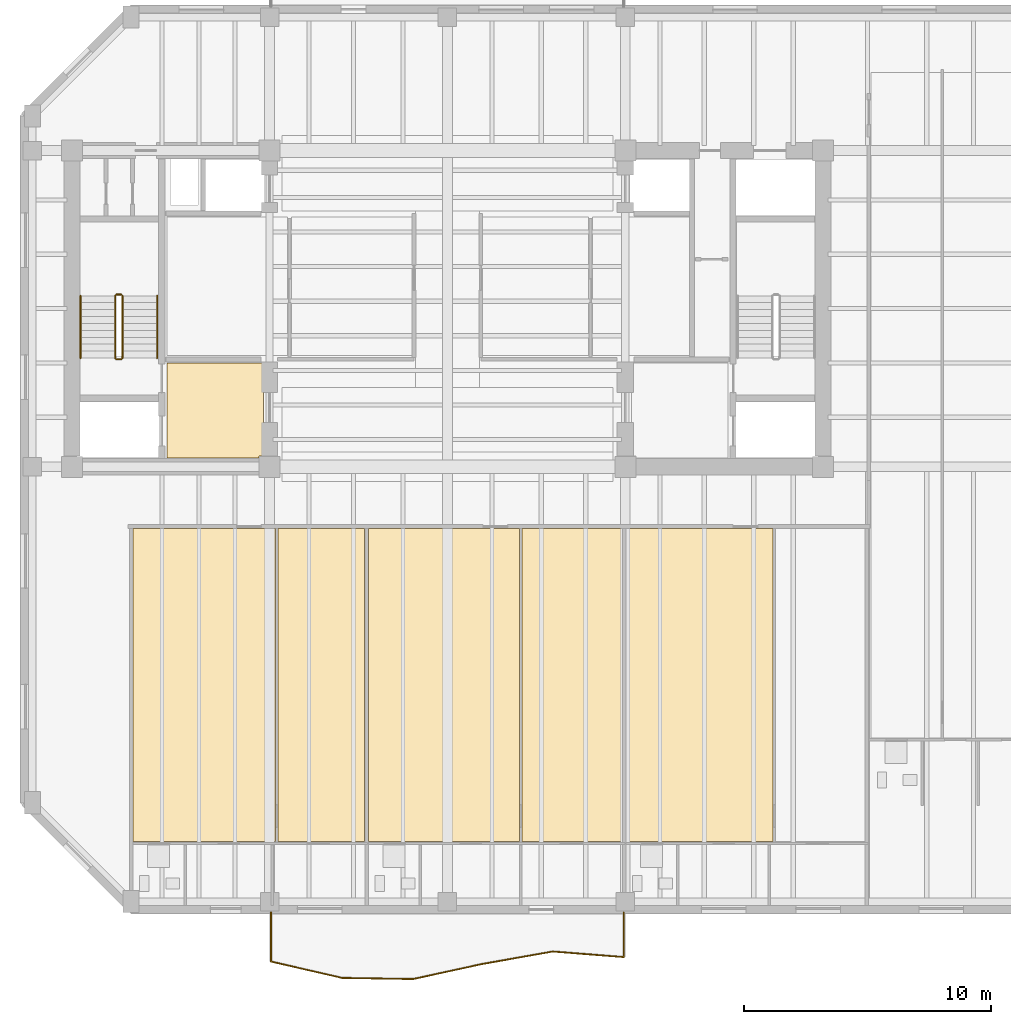
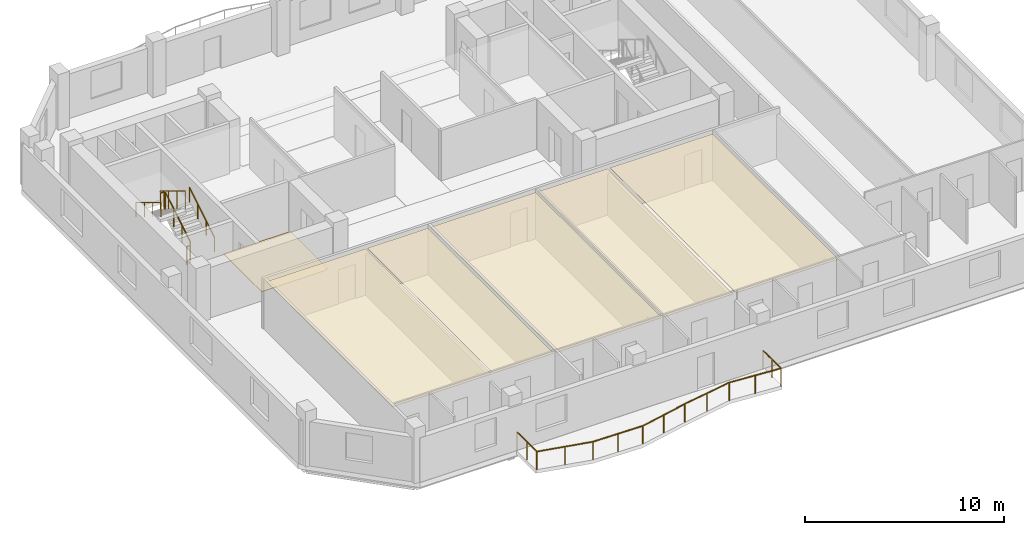
# One storey, part 6 of 9: 7 railings, 6 coverings.
"""IFC4 building model written with IfcOpenShell, lengths in metres."""

from ifc_helpers import new_model, si_unit, direction, frame, origin, origin_2d, place, context, subcontext, project, spatial, polyline, circle, outline, extrude, material, layer, layer_set, type_object, element, save


model = new_model("IFC4")

# Units and contexts
model_context = context("Model", 3, precision=1e-05, world=origin(), true_north=direction((0.0, 1.0)))
body_context = subcontext(model_context, "Body", "Model", "MODEL_VIEW")
ifc_project = project(units=[si_unit("LENGTHUNIT", "METRE"), si_unit("AREAUNIT", "SQUARE_METRE"), si_unit("VOLUMEUNIT", "CUBIC_METRE"), si_unit("PLANEANGLEUNIT", "RADIAN"), si_unit("MASSUNIT", "GRAM", prefix="KILO")], contexts=[model_context])

# Site, building, storey
site_placement = place(None, origin())
site = spatial("IfcSite", under=ifc_project, at=site_placement, CompositionType="ELEMENT")
building_placement = place(site_placement, origin())
building = spatial("IfcBuilding", under=site, at=building_placement, Name="Kranthara Brick Stack", CompositionType="ELEMENT")
storey_placement = place(building_placement, frame((0.0, 0.0, 231.300048828125)))
storey = spatial("IfcBuildingStorey", under=building, at=storey_placement, Name="L60", CompositionType="ELEMENT", Elevation=231.300048828125)

# Coverings
ifc_material_1 = material(Name="Perforated mineral-fibre acoustic ceiling tile", Category="other")
ifc_layer_1 = layer(ifc_material_1, 0.02490234375)
ifc_layer_set_1 = layer_set([ifc_layer_1], Name="Perforated mineral-fibre acoustic ceiling tile")
covering_type_1 = type_object("IfcCoveringType", Name="COV-CEIL-ACOUSTIC", PredefinedType="CEILING", material=ifc_layer_set_1)
covering_1_placement = place(storey_placement, frame((0.0, 0.0, 2.829833984375)))
element("IfcCovering", 1, at=covering_1_placement, inside=storey, type_object=covering_type_1, Name="L60 Unit L60A 1-Bed Apartment Living Dining Acoustic Ceiling", PredefinedType="CEILING", context=body_context, shape_type="SweptSolid", body=[
    extrude(outline(polyline([(21.0390625, 5.6298828125), (21.0390625, 18.300048828125), (15.280029296875, 18.300048828125), (15.280029296875, 5.6298828125), (21.0390625, 5.6298828125)])), origin(), (0.0, 0.0, 1.0), 0.025146484375),
])
covering_2_placement = place(storey_placement, frame((0.0, 0.0, 2.829833984375)))
element("IfcCovering", 2, at=covering_2_placement, inside=storey, type_object=covering_type_1, Name="L60 Unit L60A Private Study Room Acoustic Ceiling", PredefinedType="CEILING", context=body_context, shape_type="SweptSolid", body=[
    extrude(outline(polyline([(24.64990234375, 5.6298828125), (24.64990234375, 18.300048828125), (21.138916015625, 18.300048828125), (21.138916015625, 5.6298828125), (24.64990234375, 5.6298828125)])), origin(), (0.0, 0.0, 1.0), 0.025146484375),
])
covering_3_placement = place(storey_placement, frame((0.0, 0.0, 2.829833984375)))
element("IfcCovering", 3, at=covering_3_placement, inside=storey, type_object=covering_type_1, Name="L60 Unit L60B 1-Bed Apartment Living Dining Acoustic Ceiling", PredefinedType="CEILING", context=body_context, shape_type="SweptSolid", body=[
    extrude(outline(polyline([(30.916015625, 5.6298828125), (30.916015625, 18.300048828125), (24.81005859375, 18.300048828125), (24.81005859375, 5.6298828125), (30.916015625, 5.6298828125)])), origin(), (0.0, 0.0, 1.0), 0.025146484375),
])
covering_4_placement = place(storey_placement, frame((0.0, 0.0, 2.829833984375)))
element("IfcCovering", 4, at=covering_4_placement, inside=storey, type_object=covering_type_1, Name="L60 Unit L60B Private Study Room Acoustic Ceiling", PredefinedType="CEILING", context=body_context, shape_type="SweptSolid", body=[
    extrude(outline(polyline([(35.072998046875, 5.6298828125), (35.072998046875, 18.300048828125), (31.01611328125, 18.300048828125), (31.01611328125, 5.6298828125), (35.072998046875, 5.6298828125)])), origin(), (0.0, 0.0, 1.0), 0.025146484375),
])
covering_5_placement = place(storey_placement, frame((0.0, 0.0, 2.829833984375)))
element("IfcCovering", 5, at=covering_5_placement, inside=storey, type_object=covering_type_1, Name="L60 Unit L60C 1-Bed Apartment Living Dining Acoustic Ceiling", PredefinedType="CEILING", context=body_context, shape_type="SweptSolid", body=[
    extrude(outline(polyline([(41.177001953125, 5.6298828125), (41.177001953125, 18.300048828125), (35.23291015625, 18.300048828125), (35.23291015625, 5.6298828125), (41.177001953125, 5.6298828125)])), origin(), (0.0, 0.0, 1.0), 0.025146484375),
])
ifc_material_2 = material(Name="Honed terrazzo and porcelain floor finish", Category="stone")
ifc_layer_2 = layer(ifc_material_2, 0.030029296875)
ifc_layer_set_2 = layer_set([ifc_layer_2], Name="Honed terrazzo and porcelain floor finish")
covering_type_2 = type_object("IfcCoveringType", Name="COV-FLOR-STONE", PredefinedType="FLOORING", material=ifc_layer_set_2)
covering_6_placement = place(storey_placement, origin())
element("IfcCovering", 6, at=covering_6_placement, inside=storey, type_object=covering_type_2, Name="L60 Lift Lobby Stone Flooring", PredefinedType="FLOORING", context=body_context, shape_type="SweptSolid", body=[
    extrude(outline(polyline([(16.64990234375, 21.14990234375), (16.64990234375, 25.0), (20.550048828125, 25.0), (20.550048828125, 21.235107421875), (20.364990234375, 21.235107421875), (20.364990234375, 21.14990234375), (16.64990234375, 21.14990234375)])), origin(), (0.0, 0.0, 1.0), 0.030029296875),
])

# Railings
ifc_material_3 = material(Name="Bronze anodised aluminium and laminated glass balustrade", Category="aluminium")
railing_type_1 = type_object("IfcRailingType", Name="RL-BALC-1120", PredefinedType="BALUSTRADE", material=ifc_material_3)
railing_1_placement = place(storey_placement, frame((35.139892578125, 2.760009765625, 0.0)))
element("IfcRailing", 7, at=railing_1_placement, inside=storey, type_object=railing_type_1, Name="L60 South Rippling Balcony Balustrade", PredefinedType="BALUSTRADE", context=body_context, shape_type="SweptSolid", body=[
    extrude(circle(Radius=0.02392578125, at=origin_2d()), frame((0.0, 0.0, 1.09619140625), z_axis=(0.0, -1.0, 0.0), x_axis=(1.0, 0.0, 0.0)), (0.0, 0.0, 1.0), 1.807861328125),
    extrude(circle(Radius=0.02392578125, at=origin_2d()), frame((0.0, -1.807861328125, 1.09619140625), z_axis=(-0.996952700055, 0.078008421681, 0.0), x_axis=(-0.078008421681, -0.996952700055, 0.0)), (0.0, 0.0, 1.0), 2.888671875),
    extrude(circle(Radius=0.02392578125, at=origin_2d()), frame((-2.8798828125, -1.58251953125, 1.09619140625), z_axis=(-0.984590333052, -0.174876745339, 0.0), x_axis=(0.174876745339, -0.984590333052, 0.0)), (0.0, 0.0, 1.0), 2.921875),
    extrude(circle(Radius=0.02392578125, at=origin_2d()), frame((-5.7568359375, -2.093505859375, 1.09619140625), z_axis=(-0.977092508843, -0.212815011602, 0.0), x_axis=(0.212815011602, -0.977092508843, 0.0)), (0.0, 0.0, 1.0), 2.840576171875),
    extrude(circle(Radius=0.02392578125, at=origin_2d()), frame((-8.5322265625, -2.697998046875, 1.09619140625), z_axis=(-0.999866590095, 0.016334075155, 0.0), x_axis=(-0.016334075155, -0.999866590095, 0.0)), (0.0, 0.0, 1.0), 2.869873046875),
    extrude(circle(Radius=0.02392578125, at=origin_2d()), frame((-11.401611328125, -2.651123046875, 1.09619140625), z_axis=(-0.974531708399, 0.224249747658, 0.0), x_axis=(-0.224249747658, -0.974531708399, 0.0)), (0.0, 0.0, 1.0), 2.95361328125),
    extrude(circle(Radius=0.02392578125, at=origin_2d()), frame((-14.280029296875, -1.98876953125, 1.09619140625), z_axis=(0.000122759636, 0.999999992465, 0.0), x_axis=(-0.999999992465, 0.000122759636, 0.0)), (0.0, 0.0, 1.0), 1.98876953125),
    extrude(circle(Radius=0.02099609375, at=origin_2d()), origin(), (0.0, 0.0, 1.0), 1.072021484375),
    extrude(circle(Radius=0.02099609375, at=origin_2d()), frame((0.0, -0.90380859375, 0.0)), (0.0, 0.0, 1.0), 1.072021484375),
    extrude(circle(Radius=0.02099609375, at=origin_2d()), frame((0.0, -1.807861328125, 0.0)), (0.0, 0.0, 1.0), 1.072021484375),
    extrude(circle(Radius=0.02099609375, at=origin_2d()), frame((-1.43994140625, -1.6953125, 0.0)), (0.0, 0.0, 1.0), 1.072021484375),
    extrude(circle(Radius=0.02099609375, at=origin_2d()), frame((-2.8798828125, -1.58251953125, 0.0)), (0.0, 0.0, 1.0), 1.072021484375),
    extrude(circle(Radius=0.02099609375, at=origin_2d()), frame((-4.318359375, -1.837890625, 0.0)), (0.0, 0.0, 1.0), 1.072021484375),
    extrude(circle(Radius=0.02099609375, at=origin_2d()), frame((-5.7568359375, -2.093505859375, 0.0)), (0.0, 0.0, 1.0), 1.072021484375),
    extrude(circle(Radius=0.02099609375, at=origin_2d()), frame((-7.14453125, -2.395751953125, 0.0)), (0.0, 0.0, 1.0), 1.072021484375),
    extrude(circle(Radius=0.02099609375, at=origin_2d()), frame((-8.5322265625, -2.697998046875, 0.0)), (0.0, 0.0, 1.0), 1.072021484375),
    extrude(circle(Radius=0.02099609375, at=origin_2d()), frame((-9.966796875, -2.674560546875, 0.0)), (0.0, 0.0, 1.0), 1.072021484375),
    extrude(circle(Radius=0.02099609375, at=origin_2d()), frame((-11.401611328125, -2.651123046875, 0.0)), (0.0, 0.0, 1.0), 1.072021484375),
    extrude(circle(Radius=0.02099609375, at=origin_2d()), frame((-12.8408203125, -2.31982421875, 0.0)), (0.0, 0.0, 1.0), 1.072021484375),
    extrude(circle(Radius=0.02099609375, at=origin_2d()), frame((-14.280029296875, -1.98876953125, 0.0)), (0.0, 0.0, 1.0), 1.072021484375),
    extrude(circle(Radius=0.02099609375, at=origin_2d()), frame((-14.27978515625, -0.994384765625, 0.0)), (0.0, 0.0, 1.0), 1.072021484375),
    extrude(circle(Radius=0.02099609375, at=origin_2d()), frame((-14.27978515625, 0.0, 0.0)), (0.0, 0.0, 1.0), 1.072021484375),
])
ifc_material_4 = material(Name="Painted galvanized steel stair guardrail", Category="steel")
railing_type_2 = type_object("IfcRailingType", Name="RL-STAIR-GUARD-1100", PredefinedType="GUARDRAIL", material=ifc_material_4)
railing_2_placement = place(storey_placement, frame((14.85009765625, 25.199951171875, 0.169921875)))
element("IfcRailing", 8, at=railing_2_placement, inside=storey, type_object=railing_type_2, Name="L60 ST01 stair guard 1", PredefinedType="GUARDRAIL", context=body_context, shape_type="SweptSolid", body=[
    extrude(circle(Radius=0.02392578125, at=origin_2d()), frame((0.0, 0.0, 1.076171875), z_axis=(0.0, 0.85478489116, 0.518982456201), x_axis=(-1.0, 0.0, 0.0)), (0.0, 0.0, 1.0), 2.9482421875),
    extrude(circle(Radius=0.02099609375, at=origin_2d()), origin(), (0.0, 0.0, 1.0), 1.052001953125),
    extrude(circle(Radius=0.02099609375, at=origin_2d()), frame((0.0, 0.840087890625, 0.510009765625)), (0.0, 0.0, 1.0), 1.052001953125),
    extrude(circle(Radius=0.02099609375, at=origin_2d()), frame((0.0, 1.679931640625, 1.02001953125)), (0.0, 0.0, 1.0), 1.052001953125),
    extrude(circle(Radius=0.02099609375, at=origin_2d()), frame((0.0, 2.52001953125, 1.530029296875)), (0.0, 0.0, 1.0), 1.052001953125),
])
railing_3_placement = place(storey_placement, frame((14.800048828125, 27.77001953125, 1.699951171875)))
element("IfcRailing", 9, at=railing_3_placement, inside=storey, type_object=railing_type_2, Name="L60 ST01 stair guard 2", PredefinedType="GUARDRAIL", context=body_context, shape_type="SweptSolid", body=[
    extrude(circle(Radius=0.02392578125, at=origin_2d()), frame((0.0, 0.0, 1.076171875), z_axis=(-1.0, 0.0, 0.0), x_axis=(0.0, -1.0, 0.0)), (0.0, 0.0, 1.0), 0.199951171875),
    extrude(circle(Radius=0.02099609375, at=origin_2d()), origin(), (0.0, 0.0, 1.0), 1.052001953125),
    extrude(circle(Radius=0.02099609375, at=origin_2d()), frame((-0.199951171875, 0.0, 0.0)), (0.0, 0.0, 1.0), 1.052001953125),
])
railing_4_placement = place(storey_placement, frame((14.550048828125, 27.719970703125, 1.869873046875)))
element("IfcRailing", 10, at=railing_4_placement, inside=storey, type_object=railing_type_2, Name="L60 ST01 stair guard 3", PredefinedType="GUARDRAIL", context=body_context, shape_type="SweptSolid", body=[
    extrude(circle(Radius=0.02392578125, at=origin_2d()), frame((0.0, 0.0, 1.076171875), z_axis=(0.0, -0.85478489116, 0.518982456201), x_axis=(1.0, 0.0, 0.0)), (0.0, 0.0, 1.0), 2.9482421875),
    extrude(circle(Radius=0.02099609375, at=origin_2d()), origin(), (0.0, 0.0, 1.0), 1.052001953125),
    extrude(circle(Radius=0.02099609375, at=origin_2d()), frame((0.0, -0.840087890625, 0.510009765625)), (0.0, 0.0, 1.0), 1.052001953125),
    extrude(circle(Radius=0.02099609375, at=origin_2d()), frame((0.0, -1.679931640625, 1.02001953125)), (0.0, 0.0, 1.0), 1.052001953125),
    extrude(circle(Radius=0.02099609375, at=origin_2d()), frame((0.0, -2.52001953125, 1.530029296875)), (0.0, 0.0, 1.0), 1.052001953125),
])
railing_5_placement = place(storey_placement, frame((14.800048828125, 25.14990234375, 0.0)))
element("IfcRailing", 11, at=railing_5_placement, inside=storey, type_object=railing_type_2, Name="L60 ST01 stair guard 4", PredefinedType="GUARDRAIL", context=body_context, shape_type="SweptSolid", body=[
    extrude(circle(Radius=0.02392578125, at=origin_2d()), frame((0.0, 0.0, 1.076171875), z_axis=(-1.0, 0.0, 0.0), x_axis=(0.0, -1.0, 0.0)), (0.0, 0.0, 1.0), 0.199951171875),
    extrude(circle(Radius=0.02099609375, at=origin_2d()), origin(), (0.0, 0.0, 1.0), 1.052001953125),
    extrude(circle(Radius=0.02099609375, at=origin_2d()), frame((-0.199951171875, 0.0, 0.0)), (0.0, 0.0, 1.0), 1.052001953125),
])
ifc_material_5 = material(Name="Brushed stainless steel tubular handrail", Category="steel")
railing_type_3 = type_object("IfcRailingType", Name="RL-STAIR-HAND-900", PredefinedType="HANDRAIL", material=ifc_material_5)
railing_6_placement = place(storey_placement, frame((16.25, 25.199951171875, 0.169921875)))
element("IfcRailing", 12, at=railing_6_placement, inside=storey, type_object=railing_type_3, Name="L60 ST01 stair handrail 1", PredefinedType="HANDRAIL", context=body_context, shape_type="SweptSolid", body=[
    extrude(circle(Radius=0.02392578125, at=origin_2d()), frame((0.0, 0.0, 0.8759765625), z_axis=(0.0, 0.85478489116, 0.518982456201), x_axis=(-1.0, 0.0, 0.0)), (0.0, 0.0, 1.0), 2.9482421875),
    extrude(circle(Radius=0.02099609375, at=origin_2d()), origin(), (0.0, 0.0, 1.0), 0.851806640625),
    extrude(circle(Radius=0.02099609375, at=origin_2d()), frame((0.0, 0.840087890625, 0.510009765625)), (0.0, 0.0, 1.0), 0.851806640625),
    extrude(circle(Radius=0.02099609375, at=origin_2d()), frame((0.0, 1.679931640625, 1.02001953125)), (0.0, 0.0, 1.0), 0.851806640625),
    extrude(circle(Radius=0.02099609375, at=origin_2d()), frame((0.0, 2.52001953125, 1.530029296875)), (0.0, 0.0, 1.0), 0.851806640625),
])
railing_7_placement = place(storey_placement, frame((13.14990234375, 27.719970703125, 1.869873046875)))
element("IfcRailing", 13, at=railing_7_placement, inside=storey, type_object=railing_type_3, Name="L60 ST01 stair handrail 2", PredefinedType="HANDRAIL", context=body_context, shape_type="SweptSolid", body=[
    extrude(circle(Radius=0.02392578125, at=origin_2d()), frame((0.0, 0.0, 0.8759765625), z_axis=(0.0, -0.85478489116, 0.518982456201), x_axis=(1.0, 0.0, 0.0)), (0.0, 0.0, 1.0), 2.9482421875),
    extrude(circle(Radius=0.02099609375, at=origin_2d()), origin(), (0.0, 0.0, 1.0), 0.851806640625),
    extrude(circle(Radius=0.02099609375, at=origin_2d()), frame((0.0, -0.840087890625, 0.510009765625)), (0.0, 0.0, 1.0), 0.851806640625),
    extrude(circle(Radius=0.02099609375, at=origin_2d()), frame((0.0, -1.679931640625, 1.02001953125)), (0.0, 0.0, 1.0), 0.851806640625),
    extrude(circle(Radius=0.02099609375, at=origin_2d()), frame((0.0, -2.52001953125, 1.530029296875)), (0.0, 0.0, 1.0), 0.851806640625),
])

save(model, "model.ifc")
